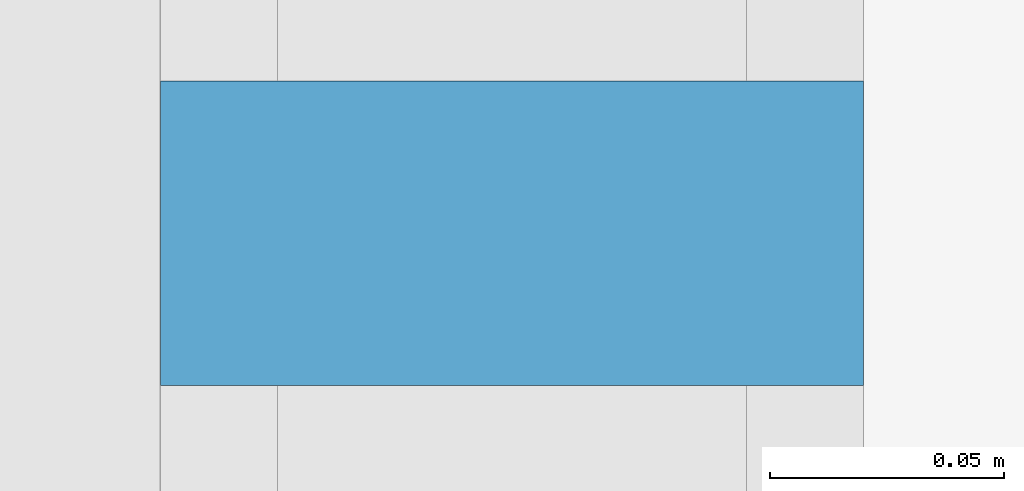
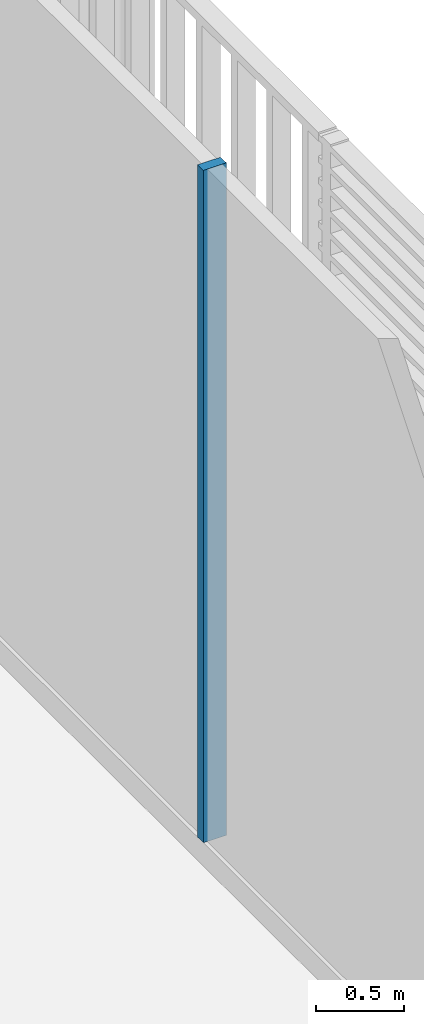
# One storey, part 11 of 22: 1 member, 1 element without a shape of its own.
"""IFC4 building model written with IfcOpenShell, lengths in metres."""

from ifc_helpers import new_model, si_unit, direction, frame, origin, origin_2d, place, context, subcontext, project, spatial, rectangle, extrude, material, layer, layer_set, material_profile, profile_set, type_object, element, aggregate, save


model = new_model("IFC4")

# Units and contexts
model_context = context("Model", 3, precision=1e-05, world=origin(), true_north=direction((0.0, 1.0)))
body_context = subcontext(model_context, "Body", "Model", "MODEL_VIEW")
ifc_project = project(units=[si_unit("LENGTHUNIT", "METRE"), si_unit("AREAUNIT", "SQUARE_METRE"), si_unit("VOLUMEUNIT", "CUBIC_METRE"), si_unit("PLANEANGLEUNIT", "RADIAN"), si_unit("MASSUNIT", "GRAM", prefix="KILO")], contexts=[model_context])

# Site, building, storey
site_placement = place(None, origin())
site = spatial("IfcSite", under=ifc_project, at=site_placement, CompositionType="ELEMENT")
building_placement = place(site_placement, origin())
building = spatial("IfcBuilding", under=site, at=building_placement, Name="Millrace Tower", CompositionType="ELEMENT")
storey_placement = place(building_placement, frame((0.0, 0.0, 30.5)))
storey = spatial("IfcBuildingStorey", under=building, at=storey_placement, Name="L07", CompositionType="ELEMENT", Elevation=30.5)

# Curtain wall, member
ifc_material_1 = material(Name="Aluminium and glass", Category="aluminium")
ifc_layer = layer(ifc_material_1, 0.14990234375)
ifc_layer_set = layer_set([ifc_layer], Name="Aluminium and glass")
curtain_wall_type = type_object("IfcCurtainWallType", Name="CW-2 data hall insulated curtain wall", PredefinedType="NOTDEFINED", material=ifc_layer_set)
curtain_wall_placement = place(storey_placement, origin())
curtain_wall = element("IfcCurtainWall", 1, at=curtain_wall_placement, inside=storey, type_object=curtain_wall_type, Name="Curtain wall A-F04 L07", PredefinedType="NOTDEFINED")
ifc_material_2 = material(Name="Aluminium", Category="aluminium")
ifc_material_profile = material_profile(ifc_material_2, rectangle(XDim=0.06494140625, YDim=0.14990234375, at=origin_2d()))
ifc_profile_set = profile_set([ifc_material_profile], Name="Aluminium")
member_type = type_object("IfcMemberType", Name="CW-2 data hall insulated curtain wall mullion", PredefinedType="MULLION", material=ifc_profile_set)
member_placement = place(storey_placement, frame((25.074951171875, 2.382568359375, 0.159912109375), z_axis=(0.0, 0.0, 1.0), x_axis=(0.0, 1.0, 0.0)))
member = element("IfcMember", 2, at=member_placement, type_object=member_type, Name="CW2 mullion A-F04.6", PredefinedType="MULLION", context=body_context, shape_type="SweptSolid", body=[
    extrude(rectangle(XDim=0.06494140625, YDim=0.14990234375, at=origin_2d()), origin(), (0.0, 0.0, 1.0), 4.64013671875),
])
aggregate(curtain_wall, [member])

save(model, "model.ifc")
